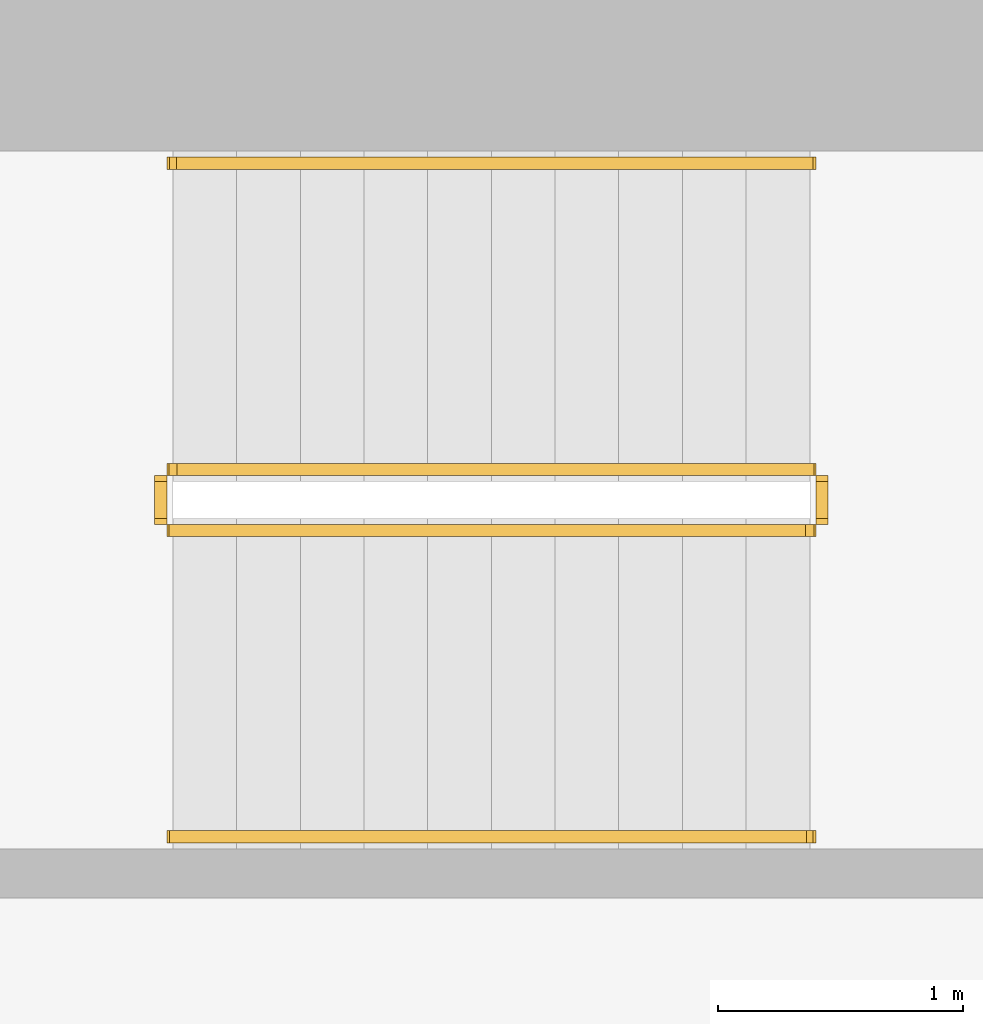
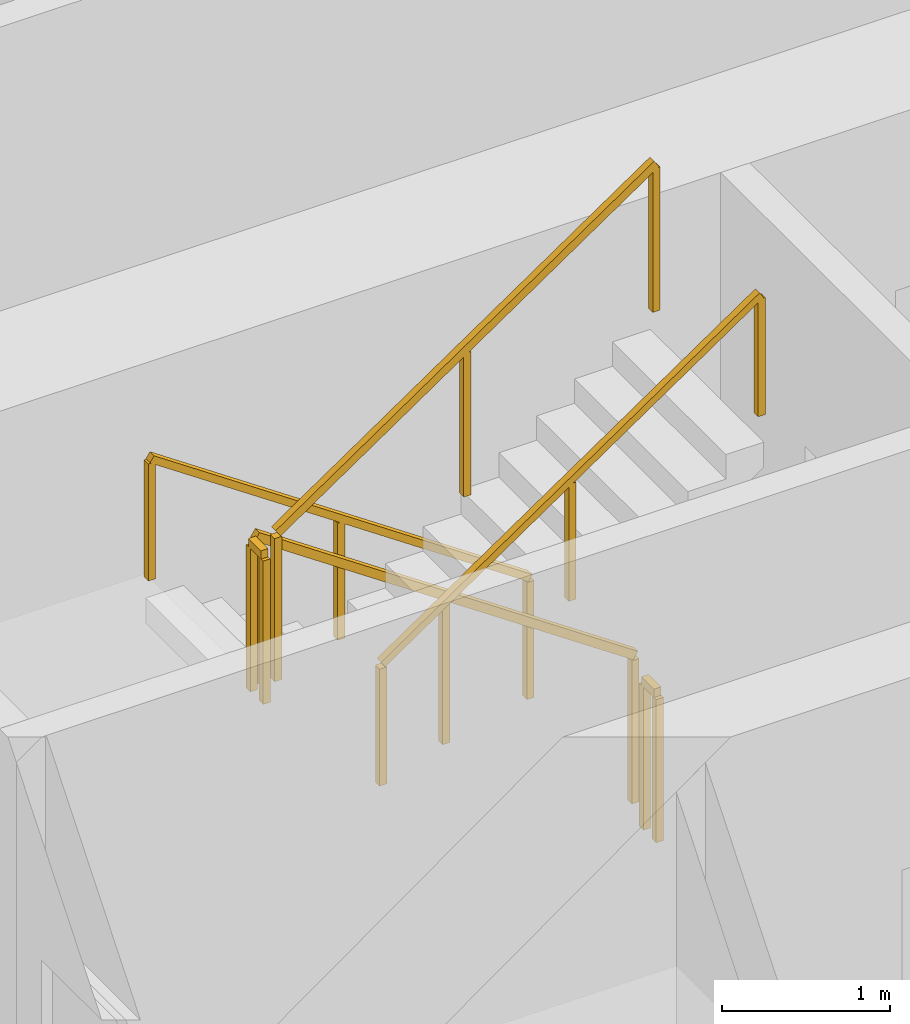
# One storey, part 14 of 15: 6 railings.
"""IFC4 building model written with IfcOpenShell, lengths in metres."""

from ifc_helpers import new_model, si_unit, direction, frame, origin, origin_2d, place, context, subcontext, project, spatial, rectangle, extrude, material, type_object, element, save


model = new_model("IFC4")

# Units and contexts
model_context = context("Model", 3, precision=1e-05, world=origin(), true_north=direction((0.0, 1.0)))
body_context = subcontext(model_context, "Body", "Model", "MODEL_VIEW")
ifc_project = project(units=[si_unit("LENGTHUNIT", "METRE"), si_unit("AREAUNIT", "SQUARE_METRE"), si_unit("VOLUMEUNIT", "CUBIC_METRE"), si_unit("PLANEANGLEUNIT", "RADIAN"), si_unit("MASSUNIT", "GRAM", prefix="KILO")], contexts=[model_context])

# Site, building, storey
site_placement = place(None, origin())
site = spatial("IfcSite", under=ifc_project, at=site_placement, CompositionType="ELEMENT")
building_placement = place(site_placement, origin())
building = spatial("IfcBuilding", under=site, at=building_placement, Name="Khepri Terraces", CompositionType="ELEMENT")
storey_placement = place(building_placement, frame((0.0, 0.0, 227.39990234375)))
storey = spatial("IfcBuildingStorey", under=building, at=storey_placement, Name="L54", CompositionType="ELEMENT", Elevation=227.39990234375)

# Railings
ifc_material = material(Name="Stainless steel 316", Category="steel")
railing_type_1 = type_object("IfcRailingType", Name="RL-CORE-GUARD", PredefinedType="GUARDRAIL", material=ifc_material)
railing_1_placement = place(storey_placement, frame((-0.25, 8.800048828125, 0.177490234375)))
element("IfcRailing", 1, at=railing_1_placement, inside=storey, type_object=railing_type_1, Name="L54 ST-3 stair guard 1", PredefinedType="GUARDRAIL", context=body_context, shape_type="SweptSolid", body=[
    extrude(rectangle(XDim=0.050048828125, YDim=0.06005859375, at=origin_2d()), frame((0.0, 0.0, 1.070068359375), z_axis=(-0.826240473404, 0.0, 0.563317565952), x_axis=(0.0, -1.0, 0.0)), (0.0, 0.0, 1.0), 3.14697265625),
    extrude(rectangle(XDim=0.050048828125, YDim=0.050048828125, at=origin_2d()), origin(), (0.0, 0.0, 1.0), 1.0400390625),
    extrude(rectangle(XDim=0.050048828125, YDim=0.050048828125, at=origin_2d()), frame((-1.300048828125, 0.0, 0.88623046875)), (0.0, 0.0, 1.0), 1.0400390625),
    extrude(rectangle(XDim=0.050048828125, YDim=0.050048828125, at=origin_2d()), frame((-2.60009765625, 0.0, 1.772705078125)), (0.0, 0.0, 1.0), 1.0400390625),
])
railing_2_placement = place(storey_placement, frame((-2.89990234375, 8.75, 1.9501953125)))
element("IfcRailing", 2, at=railing_2_placement, inside=storey, type_object=railing_type_1, Name="L54 ST-3 stair guard 2", PredefinedType="GUARDRAIL", context=body_context, shape_type="SweptSolid", body=[
    extrude(rectangle(XDim=0.050048828125, YDim=0.06005859375, at=origin_2d()), frame((0.0, 0.0, 1.070068359375), z_axis=(0.0, -1.0, 0.0), x_axis=(1.0, 0.0, 0.0)), (0.0, 0.0, 1.0), 0.14990234375),
    extrude(rectangle(XDim=0.050048828125, YDim=0.050048828125, at=origin_2d()), origin(), (0.0, 0.0, 1.0), 1.0400390625),
    extrude(rectangle(XDim=0.050048828125, YDim=0.050048828125, at=origin_2d()), frame((0.0, -0.14990234375, 0.0)), (0.0, 0.0, 1.0), 1.0400390625),
])
railing_3_placement = place(storey_placement, frame((-2.85009765625, 8.550048828125, 2.12744140625)))
element("IfcRailing", 3, at=railing_3_placement, inside=storey, type_object=railing_type_1, Name="L54 ST-3 stair guard 3", PredefinedType="GUARDRAIL", context=body_context, shape_type="SweptSolid", body=[
    extrude(rectangle(XDim=0.050048828125, YDim=0.06005859375, at=origin_2d()), frame((0.0, 0.0, 1.070068359375), z_axis=(0.826240473404, 0.0, 0.563317565952), x_axis=(0.0, 1.0, 0.0)), (0.0, 0.0, 1.0), 3.14697265625),
    extrude(rectangle(XDim=0.050048828125, YDim=0.050048828125, at=origin_2d()), origin(), (0.0, 0.0, 1.0), 1.0400390625),
    extrude(rectangle(XDim=0.050048828125, YDim=0.050048828125, at=origin_2d()), frame((1.300048828125, 0.0, 0.88623046875)), (0.0, 0.0, 1.0), 1.0400390625),
    extrude(rectangle(XDim=0.050048828125, YDim=0.050048828125, at=origin_2d()), frame((2.60009765625, 0.0, 1.772705078125)), (0.0, 0.0, 1.0), 1.0400390625),
])
railing_4_placement = place(storey_placement, frame((-0.199951171875, 8.75, 0.0)))
element("IfcRailing", 4, at=railing_4_placement, inside=storey, type_object=railing_type_1, Name="L54 ST-3 stair guard 4", PredefinedType="GUARDRAIL", context=body_context, shape_type="SweptSolid", body=[
    extrude(rectangle(XDim=0.050048828125, YDim=0.06005859375, at=origin_2d()), frame((0.0, 0.0, 1.070068359375), z_axis=(0.0, -1.0, 0.0), x_axis=(1.0, 0.0, 0.0)), (0.0, 0.0, 1.0), 0.14990234375),
    extrude(rectangle(XDim=0.050048828125, YDim=0.050048828125, at=origin_2d()), origin(), (0.0, 0.0, 1.0), 1.0400390625),
    extrude(rectangle(XDim=0.050048828125, YDim=0.050048828125, at=origin_2d()), frame((0.0, -0.14990234375, 0.0)), (0.0, 0.0, 1.0), 1.0400390625),
])
railing_type_2 = type_object("IfcRailingType", Name="RL-CORE-HANDRAIL", PredefinedType="HANDRAIL", material=ifc_material)
railing_5_placement = place(storey_placement, frame((-0.25, 10.050048828125, 0.177490234375)))
element("IfcRailing", 5, at=railing_5_placement, inside=storey, type_object=railing_type_2, Name="L54 ST-3 stair handrail 1", PredefinedType="HANDRAIL", context=body_context, shape_type="SweptSolid", body=[
    extrude(rectangle(XDim=0.050048828125, YDim=0.050048828125, at=origin_2d()), frame((0.0, 0.0, 0.875), z_axis=(-0.826240473404, 0.0, 0.563317565952), x_axis=(0.0, -1.0, 0.0)), (0.0, 0.0, 1.0), 3.14697265625),
    extrude(rectangle(XDim=0.050048828125, YDim=0.050048828125, at=origin_2d()), origin(), (0.0, 0.0, 1.0), 0.849853515625),
    extrude(rectangle(XDim=0.050048828125, YDim=0.050048828125, at=origin_2d()), frame((-1.300048828125, 0.0, 0.88623046875)), (0.0, 0.0, 1.0), 0.849853515625),
    extrude(rectangle(XDim=0.050048828125, YDim=0.050048828125, at=origin_2d()), frame((-2.60009765625, 0.0, 1.772705078125)), (0.0, 0.0, 1.0), 0.849853515625),
])
railing_6_placement = place(storey_placement, frame((-2.85009765625, 7.300048828125, 2.12744140625)))
element("IfcRailing", 6, at=railing_6_placement, inside=storey, type_object=railing_type_2, Name="L54 ST-3 stair handrail 2", PredefinedType="HANDRAIL", context=body_context, shape_type="SweptSolid", body=[
    extrude(rectangle(XDim=0.050048828125, YDim=0.050048828125, at=origin_2d()), frame((0.0, 0.0, 0.875), z_axis=(0.826240473404, 0.0, 0.563317565952), x_axis=(0.0, 1.0, 0.0)), (0.0, 0.0, 1.0), 3.14697265625),
    extrude(rectangle(XDim=0.050048828125, YDim=0.050048828125, at=origin_2d()), origin(), (0.0, 0.0, 1.0), 0.849853515625),
    extrude(rectangle(XDim=0.050048828125, YDim=0.050048828125, at=origin_2d()), frame((1.300048828125, 0.0, 0.88623046875)), (0.0, 0.0, 1.0), 0.849853515625),
    extrude(rectangle(XDim=0.050048828125, YDim=0.050048828125, at=origin_2d()), frame((2.60009765625, 0.0, 1.772705078125)), (0.0, 0.0, 1.0), 0.849853515625),
])

save(model, "model.ifc")
